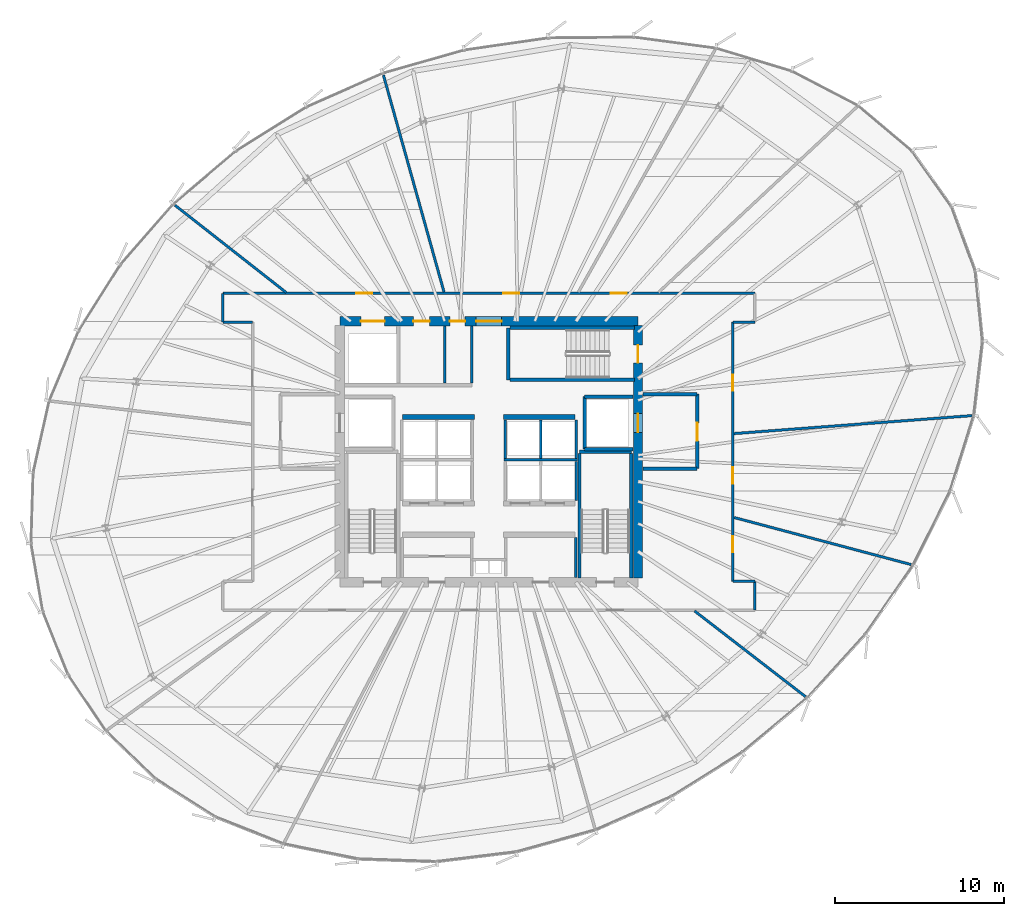
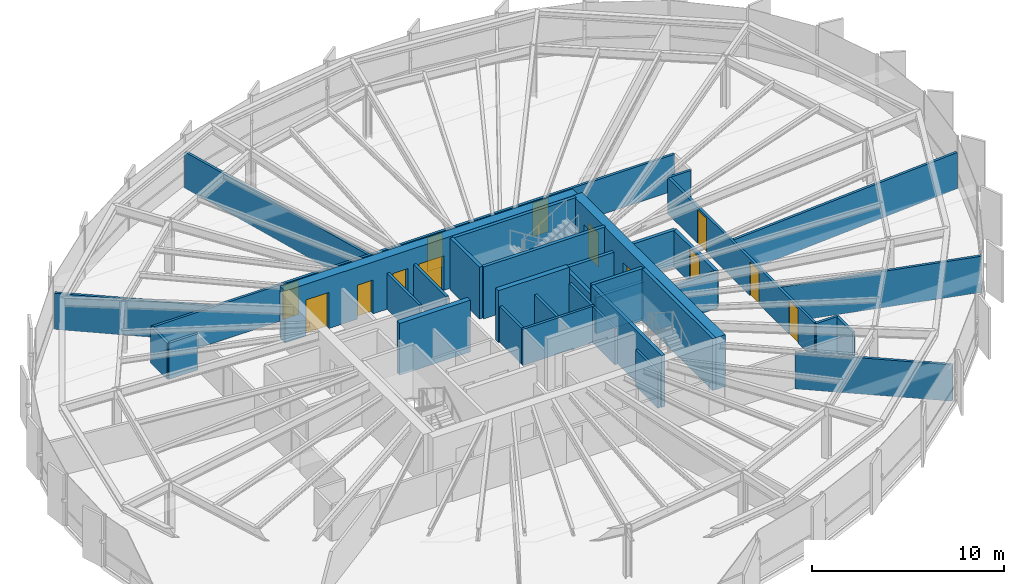
# One storey, part 30 of 35: 36 walls, 13 doors, 13 openings.
"""IFC4 building model written with IfcOpenShell, lengths in metres."""

import ifcopenshell
import ifcopenshell.guid

model = None  # the IFC model being written
_history = None  # IfcOwnerHistory: only IFC2X3 demands one
_inside = {}  # id of a spatial element -> (the spatial element, [elements in it])
_under = {}  # id of a project, library or spatial element -> (it, [spatial elements below it])
_declared = {}  # id of a project -> (the project, [libraries it declares])
_typed = {}  # id of a type object -> (the type object, [elements of that type])
_made_of = {}  # id of a material, layer set ... -> (it, [elements and type objects made of it])


def new_model(schema):
    """Start an empty IFC model of exactly this schema.

    Asked for "IFC4X3", IfcOpenShell would pick the latest addendum, in which some entities
    have other attributes; the version numbers below select the first issue.
    IFC2X3 requires an IfcOwnerHistory on every rooted entity: one is made here for all.
    """
    global model, _history
    if schema == "IFC4X3":
        model = ifcopenshell.file(schema_version=(4, 3, 0, 0))
    else:
        model = ifcopenshell.file(schema=schema)
    _inside.clear()
    _under.clear()
    _declared.clear()
    _typed.clear()
    _made_of.clear()
    _history = None
    if model.schema == "IFC2X3":
        org = make("IfcOrganization", Name="unknown")
        user = make(
            "IfcPersonAndOrganization",
            ThePerson=make("IfcPerson", FamilyName="unknown"),
            TheOrganization=org,
        )
        app = make(
            "IfcApplication",
            ApplicationDeveloper=org,
            Version="unknown",
            ApplicationFullName="unknown",
            ApplicationIdentifier="unknown",
        )
        _history = make(
            "IfcOwnerHistory",
            OwningUser=user,
            OwningApplication=app,
            ChangeAction="ADDED",
            CreationDate=0,
        )
    return model


def make(cls, **values):
    """One entity of the class cls with the attributes given. An attribute that is None is left unset."""
    return model.create_entity(
        cls, **{name: value for name, value in values.items() if value is not None}
    )


def rooted(cls, **values):
    """An entity with a GlobalId (a new one), such as an element, a storey or a relation."""
    return make(cls, GlobalId=ifcopenshell.guid.new(), OwnerHistory=_history, **values)


def si_unit(unit_type, name, prefix=None):
    """IfcSIUnit, for example si_unit("LENGTHUNIT", "METRE", prefix="MILLI")."""
    return make("IfcSIUnit", UnitType=unit_type, Prefix=prefix, Name=name)


def assignment(units):
    """IfcUnitAssignment: the units of a project."""
    return None if units is None else make("IfcUnitAssignment", Units=units)


def point(xyz):
    """IfcCartesianPoint."""
    return None if xyz is None else make("IfcCartesianPoint", Coordinates=xyz)


def direction(xyz):
    """IfcDirection."""
    return None if xyz is None else make("IfcDirection", DirectionRatios=xyz)


def frame(location, z_axis=None, x_axis=None):
    """IfcAxis2Placement3D, a coordinate frame: its origin and axes. An axis left out is left unset."""
    return make(
        "IfcAxis2Placement3D",
        Location=point(location),
        Axis=direction(z_axis),
        RefDirection=direction(x_axis),
    )


def frame_2d(location, x_axis=None):
    """IfcAxis2Placement2D, a coordinate frame in the plane: its origin and x axis."""
    return make(
        "IfcAxis2Placement2D", Location=point(location), RefDirection=direction(x_axis)
    )


def origin():
    """The frame at (0, 0, 0) with its axes left unset."""
    return frame((0.0, 0.0, 0.0))


def place(relative_to, where):
    """IfcLocalPlacement: puts the frame where relative to a parent placement (None: the world)."""
    return make(
        "IfcLocalPlacement", PlacementRelTo=relative_to, RelativePlacement=where
    )


def context(
    kind, dimensions, precision=None, world=None, true_north=None, identifier=None
):
    """IfcGeometricRepresentationContext, for example the 3D "Model" context."""
    return make(
        "IfcGeometricRepresentationContext",
        ContextIdentifier=identifier,
        ContextType=kind,
        CoordinateSpaceDimension=dimensions,
        Precision=precision,
        WorldCoordinateSystem=world,
        TrueNorth=true_north,
    )


def subcontext(parent, identifier, kind, view, scale=None):
    """IfcGeometricRepresentationSubContext, for example "Body" below "Model"."""
    return make(
        "IfcGeometricRepresentationSubContext",
        ContextIdentifier=identifier,
        ContextType=kind,
        ParentContext=parent,
        TargetScale=scale,
        TargetView=view,
    )


def project(units=None, contexts=None):
    """IfcProject with its units and contexts."""
    return rooted(
        "IfcProject",
        Name="project",
        RepresentationContexts=contexts,
        UnitsInContext=assignment(units),
    )


def spatial(cls, under=None, at=None, **own):
    """A site, building, storey or space (cls), placed at a placement, below another one or the project."""
    s = rooted(cls, ObjectPlacement=at, **own)
    if under is not None:
        _under.setdefault(under.id(), (under, []))[1].append(s)
    return s


def profile(cls, at=None, kind="AREA", **sizes):
    """A parametric profile (cls). Its sizes go by their IFC names, for example OverallWidth=200.0."""
    return make(cls, ProfileType=kind, Position=at, **sizes)


def rectangle(**sizes):
    """IfcRectangleProfileDef."""
    return profile("IfcRectangleProfileDef", **sizes)


def extrude(swept, where, along, depth):
    """IfcExtrudedAreaSolid: the profile swept, set in the frame where, extruded along a direction by depth."""
    return make(
        "IfcExtrudedAreaSolid",
        SweptArea=swept,
        Position=where,
        ExtrudedDirection=direction(along),
        Depth=depth,
    )


def shape(context_of_items, identifier, shape_type, items):
    """IfcShapeRepresentation: the items that make up one representation, for example the "Body"."""
    return make(
        "IfcShapeRepresentation",
        ContextOfItems=context_of_items,
        RepresentationIdentifier=identifier,
        RepresentationType=shape_type,
        Items=items,
    )


def source(mapping_origin, context_of_items, identifier, shape_type, items):
    """IfcRepresentationMap: a shape defined once, which mapped items show again and again."""
    return make(
        "IfcRepresentationMap",
        MappingOrigin=mapping_origin,
        MappedRepresentation=shape(context_of_items, identifier, shape_type, items),
    )


def transform(
    local_origin,
    x_axis=None,
    y_axis=None,
    z_axis=None,
    scale=None,
    scale2=None,
    scale3=None,
    uniform=True,
):
    """IfcCartesianTransformationOperator3D, or its non-uniform kind. x_axis, y_axis, z_axis: its Axis1, 2, 3."""
    if uniform:
        return make(
            "IfcCartesianTransformationOperator3D",
            Axis1=direction(x_axis),
            Axis2=direction(y_axis),
            LocalOrigin=point(local_origin),
            Scale=scale,
            Axis3=direction(z_axis),
        )
    return make(
        "IfcCartesianTransformationOperator3DnonUniform",
        Axis1=direction(x_axis),
        Axis2=direction(y_axis),
        LocalOrigin=point(local_origin),
        Scale=scale,
        Axis3=direction(z_axis),
        Scale2=scale2,
        Scale3=scale3,
    )


def mapped(mapping_source, mapping_target):
    """IfcMappedItem: shows the shape of a source again, moved by a transform."""
    return make(
        "IfcMappedItem", MappingSource=mapping_source, MappingTarget=mapping_target
    )


def material(Name=None, Category=None):
    """IfcMaterial."""
    return make("IfcMaterial", Name=Name, Category=Category)


def layer(
    of_material, thickness, ventilated=None, Name=None, Category=None, Priority=None
):
    """IfcMaterialLayer: one layer of a wall or slab, of a material (None: an air gap)."""
    return make(
        "IfcMaterialLayer",
        Material=of_material,
        LayerThickness=thickness,
        IsVentilated=ventilated,
        Name=Name,
        Category=Category,
        Priority=Priority,
    )


def layer_set(layers, Name=None):
    """IfcMaterialLayerSet."""
    return make("IfcMaterialLayerSet", MaterialLayers=layers, LayerSetName=Name)


def made_of(thing, what):
    """Note that an element or type object is made of a material, layer set ...; save() writes the relation."""
    if what is not None:
        _made_of.setdefault(what.id(), (what, []))[1].append(thing)
    return thing


def type_object(cls, material=None, **own):
    """A type object (cls), such as IfcWallType, which elements share."""
    return made_of(rooted(cls, **own), material)


def element(
    cls,
    number,
    at=None,
    inside=None,
    cuts=None,
    type_object=None,
    material=None,
    context=None,
    identifier="Body",
    shape_type=None,
    held_by="IfcProductDefinitionShape",
    body=None,
    shapes=None,
    **own,
):
    """One element of the class cls, such as IfcWall. Its Tag is "e" and its number.

    at: its placement. inside: the storey or other place that contains it. cuts: it is an
    opening in that element (IfcRelVoidsElement). A single representation is given by context,
    identifier, shape_type and body (its items); several are given by shapes. held_by: the class
    of the entity that holds the representations. save() writes the other relations.
    """
    e = rooted(cls, Tag="e%d" % number, ObjectPlacement=at, **own)
    if body is not None:
        shapes = [shape(context, identifier, shape_type, body)]
    if shapes is not None:
        e.Representation = make(held_by, Representations=shapes)
    if inside is not None:
        _inside.setdefault(inside.id(), (inside, []))[1].append(e)
    if cuts is not None:
        rooted(
            "IfcRelVoidsElement", RelatingBuildingElement=cuts, RelatedOpeningElement=e
        )
    if type_object is not None:
        _typed.setdefault(type_object.id(), (type_object, []))[1].append(e)
    return made_of(e, material)


def fill(opening, filler):
    """IfcRelFillsElement: the door or window that sits in an opening."""
    return rooted(
        "IfcRelFillsElement",
        RelatingOpeningElement=opening,
        RelatedBuildingElement=filler,
    )


def aggregate(whole, parts):
    """IfcRelAggregates: a whole, such as a stair, and the parts it consists of."""
    return rooted("IfcRelAggregates", RelatingObject=whole, RelatedObjects=parts)


def save(model, path):
    """Write the relations noted so far, then the file.

    IfcRelAggregates (storeys below a building ...), IfcRelContainedInSpatialStructure (elements
    in a storey), IfcRelDefinesByType, IfcRelAssociatesMaterial and IfcRelDeclares: one each for
    every whole, place, type object, material and project.
    """
    for whole, parts in _under.values():
        aggregate(whole, parts)
    for where, things in _inside.values():
        rooted(
            "IfcRelContainedInSpatialStructure",
            RelatedElements=things,
            RelatingStructure=where,
        )
    for kind, things in _typed.values():
        rooted("IfcRelDefinesByType", RelatedObjects=things, RelatingType=kind)
    for what, things in _made_of.values():
        rooted("IfcRelAssociatesMaterial", RelatedObjects=things, RelatingMaterial=what)
    for by, libraries in _declared.values():
        rooted("IfcRelDeclares", RelatingContext=by, RelatedDefinitions=libraries)
    model.write(path)


model = new_model("IFC4")

# Units and contexts
model_context = context("Model", 3, precision=1e-05, world=origin(), true_north=direction((0.0, 1.0)))
body_context = subcontext(model_context, "Body", "Model", "MODEL_VIEW")
ifc_project = project(units=[si_unit("LENGTHUNIT", "METRE"), si_unit("AREAUNIT", "SQUARE_METRE"), si_unit("VOLUMEUNIT", "CUBIC_METRE"), si_unit("PLANEANGLEUNIT", "RADIAN"), si_unit("MASSUNIT", "GRAM", prefix="KILO"), si_unit("THERMODYNAMICTEMPERATUREUNIT", "KELVIN")], contexts=[model_context])

# Site, building, storey
site_placement = place(None, origin())
site = spatial("IfcSite", under=ifc_project, at=site_placement, CompositionType="ELEMENT")
building_placement = place(site_placement, origin())
building = spatial("IfcBuilding", under=site, at=building_placement, Name="Kethvar Cultural Tower", CompositionType="ELEMENT")
storey_placement = place(building_placement, frame((0.0, 0.0, 146.550048828125)))
storey = spatial("IfcBuildingStorey", under=building, at=storey_placement, Name="L37", CompositionType="ELEMENT", Elevation=146.550048828125)

# Wall, openings, doors
ifc_material_1 = material(Name="Concrete C60/75", Category="concrete")
ifc_layer_1 = layer(ifc_material_1, 0.550048828125, Name="Concrete C60/75", Category="concrete")
ifc_layer_set_1 = layer_set([ifc_layer_1], Name="Concrete C60/75 (550 mm)")
wall_type_1 = type_object("IfcWallType", Name="WL-CORE-550", PredefinedType="SHEAR", material=ifc_layer_set_1)
wall_1_placement = place(storey_placement, frame((55.60009765625, 35.5, 0.0), z_axis=(0.0, 0.0, 1.0), x_axis=(-1.0, 0.0, 0.0)))
wall_1 = element("IfcWall", 1, at=wall_1_placement, inside=storey, type_object=wall_type_1, Name="L37 Core Shear Wall N", PredefinedType="SHEAR", context=body_context, shape_type="SweptSolid", body=[
    extrude(rectangle(XDim=17.60009765625, YDim=0.550048828125, at=frame_2d((8.800048828125, 0.0))), origin(), (0.0, 0.0, 1.0), 3.300048828125),
])
opening_1_placement = place(wall_1_placement, frame((8.050048828125, 0.0, 0.0)))
opening_1 = element("IfcOpeningElement", 2, at=opening_1_placement, cuts=wall_1, Name="Opening D-L37-LN", PredefinedType="OPENING", context=body_context, shape_type="SweptSolid", body=[
    extrude(rectangle(XDim=1.5, YDim=2.199951171875, at=frame_2d((0.75, 1.10009765625))), frame((0.0, 0.284912109375, 0.0), z_axis=(0.0, -1.0, 0.0), x_axis=(1.0, 0.0, 0.0)), (0.0, 0.0, 1.0), 0.570068359375),
])
opening_2_placement = place(wall_1_placement, frame((14.949951171875, 0.0, 0.0)))
opening_2 = element("IfcOpeningElement", 3, at=opening_2_placement, cuts=wall_1, Name="Opening LD-G1", PredefinedType="OPENING", context=body_context, shape_type="SweptSolid", body=[
    extrude(rectangle(XDim=1.39990234375, YDim=2.300048828125, at=frame_2d((0.699951171875, 1.14990234375))), frame((0.0, 0.284912109375, 0.0), z_axis=(0.0, -1.0, 0.0), x_axis=(1.0, 0.0, 0.0)), (0.0, 0.0, 1.0), 0.570068359375),
])
opening_3_placement = place(wall_1_placement, frame((12.300048828125, 0.0, 0.0)))
opening_3 = element("IfcOpeningElement", 4, at=opening_3_placement, cuts=wall_1, Name="Opening D-L37-W1", PredefinedType="OPENING", context=body_context, shape_type="SweptSolid", body=[
    extrude(rectangle(XDim=0.949951171875, YDim=2.14990234375, at=frame_2d((0.47509765625, 1.074951171875))), frame((0.0, 0.284912109375, 0.0), z_axis=(0.0, -1.0, 0.0), x_axis=(1.0, 0.0, 0.0)), (0.0, 0.0, 1.0), 0.570068359375),
])
opening_4_placement = place(wall_1_placement, frame((10.199951171875, 0.0, 0.0)))
opening_4 = element("IfcOpeningElement", 5, at=opening_4_placement, cuts=wall_1, Name="Opening D-L37-W2", PredefinedType="OPENING", context=body_context, shape_type="SweptSolid", body=[
    extrude(rectangle(XDim=0.89990234375, YDim=2.14990234375, at=frame_2d((0.449951171875, 1.074951171875))), frame((0.0, 0.284912109375, 0.0), z_axis=(0.0, -1.0, 0.0), x_axis=(1.0, 0.0, 0.0)), (0.0, 0.0, 1.0), 0.570068359375),
])
ifc_material_2 = material(Name="Architectural Oak Timber", Category="wood")
door_type_1 = type_object("IfcDoorType", Name="DR-DBL-FD60-1500", OperationType="DOUBLE_DOOR_SINGLE_SWING", PredefinedType="DOOR", material=ifc_material_2)
shared_shape_1 = source(origin(), body_context, "Body", "SweptSolid", [
    extrude(rectangle(XDim=1.5, YDim=2.199951171875, at=frame_2d((0.75, 1.10009765625))), frame((0.0, 0.02490234375, 0.0), z_axis=(0.0, -1.0, 0.0), x_axis=(1.0, 0.0, 0.0)), (0.0, 0.0, 1.0), 0.050048828125),
])
door_1_placement = place(opening_1_placement, origin())
door_1 = element("IfcDoor", 6, at=door_1_placement, inside=storey, type_object=door_type_1, Name="L37 Lift Lobby Concourse Door", OperationType="DOUBLE_DOOR_SINGLE_SWING", OverallHeight=2.199951171875, OverallWidth=1.5, PredefinedType="DOOR", context=body_context, shape_type="MappedRepresentation", body=[
    mapped(shared_shape_1, transform((0.0, 0.0, 0.0), scale=1.0)),
])
fill(opening_1, door_1)
ifc_material_3 = material(Name="Steel S355J2", Category="steel")
door_type_2 = type_object("IfcDoorType", Name="DR-LIFT-SLIDE-1400", OperationType="NOTDEFINED", PredefinedType="DOOR", material=ifc_material_3)
shared_shape_2 = source(origin(), body_context, "Body", "SweptSolid", [
    extrude(rectangle(XDim=1.39990234375, YDim=2.300048828125, at=frame_2d((0.699951171875, 1.14990234375))), frame((0.0, 0.02490234375, 0.0), z_axis=(0.0, -1.0, 0.0), x_axis=(1.0, 0.0, 0.0)), (0.0, 0.0, 1.0), 0.050048828125),
])
door_2_placement = place(opening_2_placement, origin())
door_2 = element("IfcDoor", 7, at=door_2_placement, inside=storey, type_object=door_type_2, Name="L37 Goods Lift Landing Door", OperationType="SLIDING_TO_RIGHT", OverallHeight=2.300048828125, OverallWidth=1.39990234375, PredefinedType="DOOR", context=body_context, shape_type="MappedRepresentation", body=[
    mapped(shared_shape_2, transform((0.0, 0.0, 0.0), scale=1.0)),
])
fill(opening_2, door_2)
door_type_3 = type_object("IfcDoorType", Name="DR-FD30-950", OperationType="NOTDEFINED", PredefinedType="DOOR", material=ifc_material_2)
shared_shape_3 = source(origin(), body_context, "Body", "SweptSolid", [
    extrude(rectangle(XDim=0.949951171875, YDim=2.14990234375, at=frame_2d((0.47509765625, 1.074951171875))), frame((0.0, 0.02490234375, 0.0), z_axis=(0.0, -1.0, 0.0), x_axis=(1.0, 0.0, 0.0)), (0.0, 0.0, 1.0), 0.050048828125),
])
door_3_placement = place(opening_3_placement, origin())
door_3 = element("IfcDoor", 8, at=door_3_placement, inside=storey, type_object=door_type_3, Name="L37 Public Washroom Door", OperationType="SINGLE_SWING_LEFT", OverallHeight=2.14990234375, OverallWidth=0.949951171875, PredefinedType="DOOR", context=body_context, shape_type="MappedRepresentation", body=[
    mapped(shared_shape_3, transform((0.0, 0.0, 0.0), scale=1.0)),
])
fill(opening_3, door_3)
door_type_4 = type_object("IfcDoorType", Name="DR-FD30-900", OperationType="NOTDEFINED", PredefinedType="DOOR", material=ifc_material_2)
shared_shape_4 = source(origin(), body_context, "Body", "SweptSolid", [
    extrude(rectangle(XDim=0.89990234375, YDim=2.14990234375, at=frame_2d((0.449951171875, 1.074951171875))), frame((0.0, 0.02490234375, 0.0), z_axis=(0.0, -1.0, 0.0), x_axis=(1.0, 0.0, 0.0)), (0.0, 0.0, 1.0), 0.050048828125),
])
door_4_placement = place(opening_4_placement, origin())
door_4 = element("IfcDoor", 9, at=door_4_placement, inside=storey, type_object=door_type_4, Name="L37 Accessible Washroom Door", OperationType="SINGLE_SWING_RIGHT", OverallHeight=2.14990234375, OverallWidth=0.89990234375, PredefinedType="DOOR", context=body_context, shape_type="MappedRepresentation", body=[
    mapped(shared_shape_4, transform((0.0, 0.0, 0.0), scale=1.0)),
])
fill(opening_4, door_4)

wall_2_placement = place(storey_placement, frame((55.60009765625, 20.340087890625, 0.0), z_axis=(0.0, 0.0, 1.0), x_axis=(0.0, 1.0, 0.0)))
wall_2 = element("IfcWall", 10, at=wall_2_placement, inside=storey, type_object=wall_type_1, Name="L37 Core Shear Wall E", PredefinedType="SHEAR", context=body_context, shape_type="SweptSolid", body=[
    extrude(rectangle(XDim=14.919921875, YDim=0.550048828125, at=frame_2d((7.4599609375, 0.0))), origin(), (0.0, 0.0, 1.0), 3.300048828125),
])
opening_5_placement = place(wall_2_placement, frame((12.7099609375, 0.0, 0.0)))
opening_5 = element("IfcOpeningElement", 11, at=opening_5_placement, cuts=wall_2, Name="Opening D-L37-S3", PredefinedType="OPENING", context=body_context, shape_type="SweptSolid", body=[
    extrude(rectangle(XDim=1.050048828125, YDim=2.14990234375, at=frame_2d((0.52490234375, 1.074951171875))), frame((0.0, 0.284912109375, 0.0), z_axis=(0.0, -1.0, 0.0), x_axis=(1.0, 0.0, 0.0)), (0.0, 0.0, 1.0), 0.570068359375),
])
opening_6_placement = place(wall_2_placement, frame((8.610107421875, 0.0, 0.0)))
opening_6 = element("IfcOpeningElement", 12, at=opening_6_placement, cuts=wall_2, Name="Opening LD-2", PredefinedType="OPENING", context=body_context, shape_type="SweptSolid", body=[
    extrude(rectangle(XDim=1.10009765625, YDim=2.199951171875, at=frame_2d((0.550048828125, 1.10009765625))), frame((0.0, 0.284912109375, 0.0), z_axis=(0.0, -1.0, 0.0), x_axis=(1.0, 0.0, 0.0)), (0.0, 0.0, 1.0), 0.570068359375),
])
door_type_5 = type_object("IfcDoorType", Name="DR-FD60-1050", OperationType="NOTDEFINED", PredefinedType="DOOR", material=ifc_material_3)
shared_shape_5 = source(origin(), body_context, "Body", "SweptSolid", [
    extrude(rectangle(XDim=1.050048828125, YDim=2.14990234375, at=frame_2d((0.52490234375, 1.074951171875))), frame((0.0, 0.02490234375, 0.0), z_axis=(0.0, -1.0, 0.0), x_axis=(1.0, 0.0, 0.0)), (0.0, 0.0, 1.0), 0.050048828125),
])
door_5_placement = place(opening_5_placement, origin())
door_5 = element("IfcDoor", 13, at=door_5_placement, inside=storey, type_object=door_type_5, Name="L37 Exit Stair 3 Door", OperationType="SINGLE_SWING_LEFT", OverallHeight=2.14990234375, OverallWidth=1.050048828125, PredefinedType="DOOR", context=body_context, shape_type="MappedRepresentation", body=[
    mapped(shared_shape_5, transform((0.0, 0.0, 0.0), scale=1.0)),
])
fill(opening_5, door_5)
door_type_6 = type_object("IfcDoorType", Name="DR-LIFT-SLIDE-1100", OperationType="NOTDEFINED", PredefinedType="DOOR", material=ifc_material_3)
shared_shape_6 = source(origin(), body_context, "Body", "SweptSolid", [
    extrude(rectangle(XDim=1.10009765625, YDim=2.199951171875, at=frame_2d((0.550048828125, 1.10009765625))), frame((0.0, 0.02490234375, 0.0), z_axis=(0.0, -1.0, 0.0), x_axis=(1.0, 0.0, 0.0)), (0.0, 0.0, 1.0), 0.050048828125),
])
door_6_placement = place(opening_6_placement, origin())
door_6 = element("IfcDoor", 14, at=door_6_placement, inside=storey, type_object=door_type_6, Name="L37 Firefighting Lift Landing Door FFL-02", OperationType="SLIDING_TO_RIGHT", OverallHeight=2.199951171875, OverallWidth=1.10009765625, PredefinedType="DOOR", context=body_context, shape_type="MappedRepresentation", body=[
    mapped(shared_shape_6, transform((0.0, 0.0, 0.0), scale=1.0)),
])
fill(opening_6, door_6)

# Walls
ifc_material_4 = material(Name="Gypsum Fireboard Partition")
ifc_layer_2 = layer(ifc_material_4, 0.14990234375, Name="Gypsum Fireboard Partition")
ifc_layer_set_2 = layer_set([ifc_layer_2], Name="Gypsum Fireboard Partition (150 mm)")
wall_type_2 = type_object("IfcWallType", Name="WL-FIRE-150", PredefinedType="PARTITIONING", material=ifc_layer_set_2)
wall_3_placement = place(storey_placement, frame((51.919921875, 20.385009765625, 0.0), z_axis=(0.0, 0.0, 1.0), x_axis=(0.0, 1.0, 0.0)))
element("IfcWall", 15, at=wall_3_placement, inside=storey, type_object=wall_type_2, Name="L37 Reclaimed East Outer Wall", PredefinedType="PARTITIONING", context=body_context, shape_type="SweptSolid", body=[
    extrude(rectangle(XDim=2.344970703125, YDim=0.14990234375, at=frame_2d((1.17236328125, 0.0))), origin(), (0.0, 0.0, 1.0), 2.304931640625),
])
wall_4_placement = place(storey_placement, frame((47.699951171875, 27.324951171875, 0.0), z_axis=(0.0, 0.0, 1.0), x_axis=(1.0, 0.0, 0.0)))
element("IfcWall", 16, at=wall_4_placement, inside=storey, type_object=wall_type_2, Name="L37 Mid-High Lift Shaft Back Wall E", PredefinedType="PARTITIONING", context=body_context, shape_type="SweptSolid", body=[
    extrude(rectangle(XDim=4.320068359375, YDim=0.14990234375, at=frame_2d((2.16015625, 0.0))), origin(), (0.0, 0.0, 1.0), 2.304931640625),
])
wall_5_placement = place(storey_placement, frame((51.949951171875, 24.919921875, 0.0), z_axis=(0.0, 0.0, 1.0), x_axis=(0.0, 1.0, 0.0)))
element("IfcWall", 17, at=wall_5_placement, inside=storey, type_object=wall_type_2, Name="L37 Mid-Rise Lift Shaft Outer Wall E", PredefinedType="PARTITIONING", context=body_context, shape_type="SweptSolid", body=[
    extrude(rectangle(XDim=2.320068359375, YDim=0.14990234375, at=frame_2d((1.16015625, 0.0))), origin(), (0.0, 0.0, 1.0), 2.304931640625),
])
for number, where, z_axis, x_axis, name in (
    (18, (47.77490234375, 27.409912109375, 0.0), (0.0, 0.0, 1.0), (0.0, 1.0, 0.0), "L37 High-Rise Lift Shaft Concourse Wall E"),
    (19, (49.875, 27.409912109375, 0.0), (0.0, 0.0, 1.0), (0.0, 1.0, 0.0), "L37 High-Rise Lift Shaft Divider E"),
    (20, (51.949951171875, 27.409912109375, 0.0), (0.0, 0.0, 1.0), (0.0, 1.0, 0.0), "L37 High-Rise Lift Shaft Outer Wall E"),
):
    element("IfcWall", number, at=place(storey_placement, frame(where, z_axis=z_axis, x_axis=x_axis)), inside=storey, type_object=wall_type_2, Name=name, PredefinedType="PARTITIONING", context=body_context, shape_type="SweptSolid", body=[
        extrude(rectangle(XDim=2.27001953125, YDim=0.14990234375, at=frame_2d((1.135009765625, 0.0))), origin(), (0.0, 0.0, 1.0), 2.304931640625),
    ])
wall_6_placement = place(storey_placement, frame((45.800048828125, 31.85009765625, 0.0), z_axis=(0.0, 0.0, 1.0), x_axis=(0.0, 1.0, 0.0)))
element("IfcWall", 21, at=wall_6_placement, inside=storey, type_object=wall_type_2, Name="L37 Sanitary Spine Wall", PredefinedType="PARTITIONING", context=body_context, shape_type="SweptSolid", body=[
    extrude(rectangle(XDim=3.364990234375, YDim=0.14990234375, at=frame_2d((1.6826171875, 0.0))), origin(), (0.0, 0.0, 1.0), 2.304931640625),
])
wall_7_placement = place(storey_placement, frame((62.5, 18.449951171875, 0.0), z_axis=(0.0, 0.0, 1.0), x_axis=(0.0, 1.0, 0.0)))
element("IfcWall", 22, at=wall_7_placement, inside=storey, type_object=wall_type_2, Name="L37 Corridor Rated Wall ES", PredefinedType="PARTITIONING", context=body_context, shape_type="SweptSolid", body=[
    extrude(rectangle(XDim=1.699951171875, YDim=0.14990234375, at=frame_2d((0.85009765625, 0.0))), origin(), (0.0, 0.0, 1.0), 2.304931640625),
])
wall_8_placement = place(storey_placement, frame((62.5, 20.14990234375, 0.0), z_axis=(0.0, 0.0, 1.0), x_axis=(-1.0, 0.0, 0.0)))
element("IfcWall", 23, at=wall_8_placement, inside=storey, type_object=wall_type_2, Name="L37 Corridor Rated Wall EST", PredefinedType="PARTITIONING", context=body_context, shape_type="SweptSolid", body=[
    extrude(rectangle(XDim=1.300048828125, YDim=0.14990234375, at=frame_2d((0.64990234375, 0.0))), origin(), (0.0, 0.0, 1.0), 2.304931640625),
])

# Wall, openings, doors
wall_9_placement = place(storey_placement, frame((61.199951171875, 20.14990234375, 0.0), z_axis=(0.0, 0.0, 1.0), x_axis=(0.0, 1.0, 0.0)))
wall_9 = element("IfcWall", 24, at=wall_9_placement, inside=storey, type_object=wall_type_2, Name="L37 Corridor Rated Wall EM", PredefinedType="PARTITIONING", context=body_context, shape_type="SweptSolid", body=[
    extrude(rectangle(XDim=15.300048828125, YDim=0.14990234375, at=frame_2d((7.64990234375, 0.0))), origin(), (0.0, 0.0, 1.0), 2.304931640625),
])
opening_7_placement = place(wall_9_placement, frame((1.7099609375, 0.0, 0.0)))
opening_7 = element("IfcOpeningElement", 25, at=opening_7_placement, cuts=wall_9, Name="Opening D-L37-04", PredefinedType="OPENING", context=body_context, shape_type="SweptSolid", body=[
    extrude(rectangle(XDim=0.949951171875, YDim=2.14990234375, at=frame_2d((0.47509765625, 1.074951171875))), frame((0.0, 0.0849609375, 0.0), z_axis=(0.0, -1.0, 0.0), x_axis=(1.0, 0.0, 0.0)), (0.0, 0.0, 1.0), 0.169921875),
])
opening_8_placement = place(wall_9_placement, frame((5.773681640625, 0.0, 0.0)))
opening_8 = element("IfcOpeningElement", 26, at=opening_8_placement, cuts=wall_9, Name="Opening D-L37-05", PredefinedType="OPENING", context=body_context, shape_type="SweptSolid", body=[
    extrude(rectangle(XDim=0.949951171875, YDim=2.14990234375, at=frame_2d((0.47509765625, 1.074951171875))), frame((0.0, 0.0849609375, 0.0), z_axis=(0.0, -1.0, 0.0), x_axis=(1.0, 0.0, 0.0)), (0.0, 0.0, 1.0), 0.169921875),
])
opening_9_placement = place(wall_9_placement, frame((11.243408203125, 0.0, 0.0)))
opening_9 = element("IfcOpeningElement", 27, at=opening_9_placement, cuts=wall_9, Name="Opening D-L37-06", PredefinedType="OPENING", context=body_context, shape_type="SweptSolid", body=[
    extrude(rectangle(XDim=0.949951171875, YDim=2.14990234375, at=frame_2d((0.47509765625, 1.074951171875))), frame((0.0, 0.0849609375, 0.0), z_axis=(0.0, -1.0, 0.0), x_axis=(1.0, 0.0, 0.0)), (0.0, 0.0, 1.0), 0.169921875),
])
door_7_placement = place(opening_7_placement, origin())
door_7 = element("IfcDoor", 28, at=door_7_placement, inside=storey, type_object=door_type_3, Name="L37 Special Collections Storage 04 Door", OperationType="SINGLE_SWING_LEFT", OverallHeight=2.14990234375, OverallWidth=0.949951171875, PredefinedType="DOOR", context=body_context, shape_type="MappedRepresentation", body=[
    mapped(shared_shape_3, transform((0.0, 0.0, 0.0), scale=1.0)),
])
fill(opening_7, door_7)
door_8_placement = place(opening_8_placement, origin())
door_8 = element("IfcDoor", 29, at=door_8_placement, inside=storey, type_object=door_type_3, Name="L37 Modernist Music Salon 05 Door", OperationType="SINGLE_SWING_RIGHT", OverallHeight=2.14990234375, OverallWidth=0.949951171875, PredefinedType="DOOR", context=body_context, shape_type="MappedRepresentation", body=[
    mapped(shared_shape_3, transform((0.0, 0.0, 0.0), scale=1.0)),
])
fill(opening_8, door_8)
door_9_placement = place(opening_9_placement, origin())
door_9 = element("IfcDoor", 30, at=door_9_placement, inside=storey, type_object=door_type_3, Name="L37 Cultural Event Salon 06 Door", OperationType="SINGLE_SWING_LEFT", OverallHeight=2.14990234375, OverallWidth=0.949951171875, PredefinedType="DOOR", context=body_context, shape_type="MappedRepresentation", body=[
    mapped(shared_shape_3, transform((0.0, 0.0, 0.0), scale=1.0)),
])
fill(opening_9, door_9)

# Wall
wall_10_placement = place(storey_placement, frame((61.199951171875, 35.449951171875, 0.0), z_axis=(0.0, 0.0, 1.0), x_axis=(1.0, 0.0, 0.0)))
element("IfcWall", 31, at=wall_10_placement, inside=storey, type_object=wall_type_2, Name="L37 Corridor Rated Wall ENT", PredefinedType="PARTITIONING", context=body_context, shape_type="SweptSolid", body=[
    extrude(rectangle(XDim=1.300048828125, YDim=0.14990234375, at=frame_2d((0.64990234375, 0.0))), origin(), (0.0, 0.0, 1.0), 2.304931640625),
])

# Wall, openings, doors
wall_11_placement = place(storey_placement, frame((62.5, 37.14990234375, 0.0), z_axis=(0.0, 0.0, 1.0), x_axis=(-1.0, 0.0, 0.0)))
wall_11 = element("IfcWall", 32, at=wall_11_placement, inside=storey, type_object=wall_type_2, Name="L37 Corridor Rated Wall N", PredefinedType="PARTITIONING", context=body_context, shape_type="SweptSolid", body=[
    extrude(rectangle(XDim=31.39990234375, YDim=0.14990234375, at=frame_2d((15.699951171875, 0.0))), origin(), (0.0, 0.0, 1.0), 2.304931640625),
])
opening_10_placement = place(wall_11_placement, frame((7.561279296875, 0.0, 0.0)))
opening_10 = element("IfcOpeningElement", 33, at=opening_10_placement, cuts=wall_11, Name="Opening D-L37-07", PredefinedType="OPENING", context=body_context, shape_type="SweptSolid", body=[
    extrude(rectangle(XDim=0.949951171875, YDim=2.14990234375, at=frame_2d((0.47509765625, 1.074951171875))), frame((0.0, 0.0849609375, 0.0), z_axis=(0.0, -1.0, 0.0), x_axis=(1.0, 0.0, 0.0)), (0.0, 0.0, 1.0), 0.169921875),
])
opening_11_placement = place(wall_11_placement, frame((13.900634765625, 0.0, 0.0)))
opening_11 = element("IfcOpeningElement", 34, at=opening_11_placement, cuts=wall_11, Name="Opening D-L37-08", PredefinedType="OPENING", context=body_context, shape_type="SweptSolid", body=[
    extrude(rectangle(XDim=0.949951171875, YDim=2.14990234375, at=frame_2d((0.47509765625, 1.074951171875))), frame((0.0, 0.0849609375, 0.0), z_axis=(0.0, -1.0, 0.0), x_axis=(1.0, 0.0, 0.0)), (0.0, 0.0, 1.0), 0.169921875),
])
opening_12_placement = place(wall_11_placement, frame((22.5732421875, 0.0, 0.0)))
opening_12 = element("IfcOpeningElement", 35, at=opening_12_placement, cuts=wall_11, Name="Opening D-L37-09", PredefinedType="OPENING", context=body_context, shape_type="SweptSolid", body=[
    extrude(rectangle(XDim=0.949951171875, YDim=2.14990234375, at=frame_2d((0.47509765625, 1.074951171875))), frame((0.0, 0.0849609375, 0.0), z_axis=(0.0, -1.0, 0.0), x_axis=(1.0, 0.0, 0.0)), (0.0, 0.0, 1.0), 0.169921875),
])
door_10_placement = place(opening_10_placement, origin())
door_10 = element("IfcDoor", 36, at=door_10_placement, inside=storey, type_object=door_type_3, Name="L37 Foundation Executive Office 07 Door", OperationType="SINGLE_SWING_RIGHT", OverallHeight=2.14990234375, OverallWidth=0.949951171875, PredefinedType="DOOR", context=body_context, shape_type="MappedRepresentation", body=[
    mapped(shared_shape_3, transform((0.0, 0.0, 0.0), scale=1.0)),
])
fill(opening_10, door_10)
door_11_placement = place(opening_11_placement, origin())
door_11 = element("IfcDoor", 37, at=door_11_placement, inside=storey, type_object=door_type_3, Name="L37 Members' Refreshment Kitchenette 08 Door", OperationType="SINGLE_SWING_LEFT", OverallHeight=2.14990234375, OverallWidth=0.949951171875, PredefinedType="DOOR", context=body_context, shape_type="MappedRepresentation", body=[
    mapped(shared_shape_3, transform((0.0, 0.0, 0.0), scale=1.0)),
])
fill(opening_11, door_11)
door_12_placement = place(opening_12_placement, origin())
door_12 = element("IfcDoor", 38, at=door_12_placement, inside=storey, type_object=door_type_3, Name="L37 Scholars' Study Lounge 09 Door", OperationType="SINGLE_SWING_RIGHT", OverallHeight=2.14990234375, OverallWidth=0.949951171875, PredefinedType="DOOR", context=body_context, shape_type="MappedRepresentation", body=[
    mapped(shared_shape_3, transform((0.0, 0.0, 0.0), scale=1.0)),
])
fill(opening_12, door_12)

# Walls
wall_12_placement = place(storey_placement, frame((31.10009765625, 37.14990234375, 0.0), z_axis=(0.0, 0.0, 1.0), x_axis=(0.0, -1.0, 0.0)))
element("IfcWall", 39, at=wall_12_placement, inside=storey, type_object=wall_type_2, Name="L37 Corridor Rated Wall WN", PredefinedType="PARTITIONING", context=body_context, shape_type="SweptSolid", body=[
    extrude(rectangle(XDim=1.699951171875, YDim=0.14990234375, at=frame_2d((0.85009765625, 0.0))), origin(), (0.0, 0.0, 1.0), 2.304931640625),
])
wall_13_placement = place(storey_placement, frame((31.10009765625, 35.449951171875, 0.0), z_axis=(0.0, 0.0, 1.0), x_axis=(1.0, 0.0, 0.0)))
element("IfcWall", 40, at=wall_13_placement, inside=storey, type_object=wall_type_2, Name="L37 Corridor Rated Wall WNT", PredefinedType="PARTITIONING", context=body_context, shape_type="SweptSolid", body=[
    extrude(rectangle(XDim=1.75, YDim=0.14990234375, at=frame_2d((0.875, 0.0))), origin(), (0.0, 0.0, 1.0), 2.304931640625),
])
ifc_material_5 = material(Name="Concrete C40/50", Category="concrete")
ifc_layer_3 = layer(ifc_material_5, 0.199951171875, Name="Concrete C40/50", Category="concrete")
ifc_layer_set_3 = layer_set([ifc_layer_3], Name="Concrete C40/50 (200 mm)")
wall_type_3 = type_object("IfcWallType", Name="WL-FIRE-200", PredefinedType="PARTITIONING", material=ifc_layer_set_3)
wall_14_placement = place(storey_placement, frame((52.449951171875, 27.949951171875, 0.0), z_axis=(0.0, 0.0, 1.0), x_axis=(0.0, 1.0, 0.0)))
element("IfcWall", 41, at=wall_14_placement, inside=storey, type_object=wall_type_3, Name="L37 FFL-02 Shaft Inner Wall", PredefinedType="PARTITIONING", context=body_context, shape_type="SweptSolid", body=[
    extrude(rectangle(XDim=3.10009765625, YDim=0.199951171875, at=frame_2d((1.550048828125, 0.0))), origin(), (0.0, 0.0, 1.0), 2.304931640625),
])
for number, where, z_axis, x_axis, name in (
    (42, (52.449951171875, 27.949951171875, 0.0), (0.0, 0.0, 1.0), (1.0, 0.0, 0.0), "L37 FFL-02 Shaft South Wall"),
    (43, (52.449951171875, 31.050048828125, 0.0), (0.0, 0.0, 1.0), (1.0, 0.0, 0.0), "L37 FFL-02 Shaft North Wall"),
):
    element("IfcWall", number, at=place(storey_placement, frame(where, z_axis=z_axis, x_axis=x_axis)), inside=storey, type_object=wall_type_3, Name=name, PredefinedType="PARTITIONING", context=body_context, shape_type="SweptSolid", body=[
        extrude(rectangle(XDim=2.864990234375, YDim=0.199951171875, at=frame_2d((1.4326171875, 0.0))), origin(), (0.0, 0.0, 1.0), 2.304931640625),
    ])

# Wall, opening, door
wall_15_placement = place(storey_placement, frame((59.10009765625, 26.800048828125, 0.0), z_axis=(0.0, 0.0, 1.0), x_axis=(0.0, 1.0, 0.0)))
wall_15 = element("IfcWall", 44, at=wall_15_placement, inside=storey, type_object=wall_type_3, Name="L37 Firefighting Lobby 2 Wall", PredefinedType="PARTITIONING", context=body_context, shape_type="SweptSolid", body=[
    extrude(rectangle(XDim=4.39990234375, YDim=0.199951171875, at=frame_2d((2.199951171875, 0.0))), origin(), (0.0, 0.0, 1.0), 2.304931640625),
])
opening_13_placement = place(wall_15_placement, frame((1.64990234375, 0.0, 0.0)))
opening_13 = element("IfcOpeningElement", 45, at=opening_13_placement, cuts=wall_15, Name="Opening D-L37-F2", PredefinedType="OPENING", context=body_context, shape_type="SweptSolid", body=[
    extrude(rectangle(XDim=1.050048828125, YDim=2.14990234375, at=frame_2d((0.52490234375, 1.074951171875))), frame((0.0, 0.10986328125, 0.0), z_axis=(0.0, -1.0, 0.0), x_axis=(1.0, 0.0, 0.0)), (0.0, 0.0, 1.0), 0.219970703125),
])
door_13_placement = place(opening_13_placement, origin())
door_13 = element("IfcDoor", 46, at=door_13_placement, inside=storey, type_object=door_type_5, Name="L37 Firefighting Lobby 2 Fire Door", OperationType="SINGLE_SWING_LEFT", OverallHeight=2.14990234375, OverallWidth=1.050048828125, PredefinedType="DOOR", context=body_context, shape_type="MappedRepresentation", body=[
    mapped(shared_shape_5, transform((0.0, 0.0, 0.0), scale=1.0)),
])
fill(opening_13, door_13)

# Walls
for number, where, z_axis, x_axis, name in (
    (47, (55.885009765625, 26.800048828125, 0.0), (0.0, 0.0, 1.0), (1.0, 0.0, 0.0), "L37 FF Lobby 2 South Wall"),
    (48, (55.885009765625, 31.199951171875, 0.0), (0.0, 0.0, 1.0), (1.0, 0.0, 0.0), "L37 FF Lobby 2 North Wall"),
):
    element("IfcWall", number, at=place(storey_placement, frame(where, z_axis=z_axis, x_axis=x_axis)), inside=storey, type_object=wall_type_3, Name=name, PredefinedType="PARTITIONING", context=body_context, shape_type="SweptSolid", body=[
        extrude(rectangle(XDim=3.215087890625, YDim=0.199951171875, at=frame_2d((1.607421875, 0.0))), origin(), (0.0, 0.0, 1.0), 2.304931640625),
    ])
ifc_material_6 = material(Name="Gypsum Acoustic Partition")
ifc_layer_4 = layer(ifc_material_6, 0.14990234375, Name="Gypsum Acoustic Partition")
ifc_layer_set_4 = layer_set([ifc_layer_4], Name="Gypsum Acoustic Partition (150 mm)")
wall_type_4 = type_object("IfcWallType", Name="WL-PART-150", PredefinedType="PARTITIONING", material=ifc_layer_set_4)
wall_16_placement = place(storey_placement, frame((58.94384765625, 18.401123046875, 0.0), z_axis=(0.0, 0.0, 1.0), x_axis=(0.791453494342, -0.611229389259, 0.0)))
element("IfcWall", 49, at=wall_16_placement, inside=storey, type_object=wall_type_4, Name="L37 Radial Partition Wall 04", PredefinedType="PARTITIONING", context=body_context, shape_type="SweptSolid", body=[
    extrude(rectangle(XDim=8.28369140625, YDim=0.14990234375, at=frame_2d((4.141845703125, 0.0))), origin(), (0.0, 0.0, 1.0), 2.304931640625),
])
wall_17_placement = place(storey_placement, frame((61.27734375, 23.919677734375, 0.0), z_axis=(0.0, 0.0, 1.0), x_axis=(0.96642193868, -0.25696037912, 0.0)))
element("IfcWall", 50, at=wall_17_placement, inside=storey, type_object=wall_type_4, Name="L37 Radial Partition Wall 05", PredefinedType="PARTITIONING", context=body_context, shape_type="SweptSolid", body=[
    extrude(rectangle(XDim=10.81982421875, YDim=0.14990234375, at=frame_2d((5.409912109375, 0.0))), origin(), (0.0, 0.0, 1.0), 2.304931640625),
])
wall_18_placement = place(storey_placement, frame((61.27978515625, 28.87255859375, 0.0), z_axis=(0.0, 0.0, 1.0), x_axis=(0.997160459413, 0.075306162981, 0.0)))
element("IfcWall", 51, at=wall_18_placement, inside=storey, type_object=wall_type_4, Name="L37 Radial Partition Wall 06", PredefinedType="PARTITIONING", context=body_context, shape_type="SweptSolid", body=[
    extrude(rectangle(XDim=14.073486328125, YDim=0.14990234375, at=frame_2d((7.03662109375, 0.0))), origin(), (0.0, 0.0, 1.0), 2.304931640625),
])
wall_19_placement = place(storey_placement, frame((44.154296875, 37.22705078125, 0.0), z_axis=(0.0, 0.0, 1.0), x_axis=(-0.269090511443, 0.963114892758, 0.0)))
element("IfcWall", 52, at=wall_19_placement, inside=storey, type_object=wall_type_4, Name="L37 Radial Partition Wall 09", PredefinedType="PARTITIONING", context=body_context, shape_type="SweptSolid", body=[
    extrude(rectangle(XDim=13.297119140625, YDim=0.14990234375, at=frame_2d((6.6484375, 0.0))), origin(), (0.0, 0.0, 1.0), 2.304931640625),
])
wall_20_placement = place(storey_placement, frame((34.837890625, 37.199462890625, 0.0), z_axis=(0.0, 0.0, 1.0), x_axis=(-0.786723081145, 0.617306077723, 0.0)))
element("IfcWall", 53, at=wall_20_placement, inside=storey, type_object=wall_type_4, Name="L37 Radial Partition Wall 10", PredefinedType="PARTITIONING", context=body_context, shape_type="SweptSolid", body=[
    extrude(rectangle(XDim=8.34814453125, YDim=0.14990234375, at=frame_2d((4.174072265625, 0.0))), origin(), (0.0, 0.0, 1.0), 2.304931640625),
])
ifc_material_7 = material(Name="Moisture-Resistant Sanitary Chase Wall")
ifc_layer_5 = layer(ifc_material_7, 0.14990234375, Name="Moisture-Resistant Sanitary Chase Wall")
ifc_layer_set_5 = layer_set([ifc_layer_5], Name="Moisture-Resistant Sanitary Chase Wall (150 mm)")
wall_type_5 = type_object("IfcWallType", Name="WL-PLUMB-150", PredefinedType="PLUMBINGWALL", material=ifc_layer_set_5)
wall_21_placement = place(storey_placement, frame((44.199951171875, 31.85009765625, 0.0), z_axis=(0.0, 0.0, 1.0), x_axis=(0.0, 1.0, 0.0)))
element("IfcWall", 54, at=wall_21_placement, inside=storey, type_object=wall_type_5, Name="L37 Sanitary Plumbing Wall", PredefinedType="PLUMBINGWALL", context=body_context, shape_type="SweptSolid", body=[
    extrude(rectangle(XDim=3.364990234375, YDim=0.14990234375, at=frame_2d((1.6826171875, 0.0))), origin(), (0.0, 0.0, 1.0), 2.304931640625),
])
ifc_material_8 = material(Name="Concrete C50/60", Category="concrete")
ifc_layer_6 = layer(ifc_material_8, 0.300048828125, Name="Concrete C50/60", Category="concrete")
ifc_layer_set_6 = layer_set([ifc_layer_6], Name="Concrete C50/60 (300 mm)")
wall_type_6 = type_object("IfcWallType", Name="WL-SHAFT-300", PredefinedType="SHEAR", material=ifc_layer_set_6)
for number, where, z_axis, x_axis, name in (
    (55, (41.699951171875, 29.85009765625, 0.0), (0.0, 0.0, 1.0), (1.0, 0.0, 0.0), "L37 Core Lift Spine Wall MID3W"),
    (56, (47.64990234375, 29.85009765625, 0.0), (0.0, 0.0, 1.0), (1.0, 0.0, 0.0), "L37 Core Lift Spine Wall MID3E"),
):
    element("IfcWall", number, at=place(storey_placement, frame(where, z_axis=z_axis, x_axis=x_axis)), inside=storey, type_object=wall_type_6, Name=name, PredefinedType="SHEAR", context=body_context, shape_type="SweptSolid", body=[
        extrude(rectangle(XDim=4.25, YDim=0.300048828125, at=frame_2d((2.125, 0.0))), origin(), (0.0, 0.0, 1.0), 3.300048828125),
    ])
ifc_layer_7 = layer(ifc_material_8, 0.199951171875, Name="Concrete C50/60", Category="concrete")
ifc_layer_set_7 = layer_set([ifc_layer_7], Name="Concrete C50/60 (200 mm)")
wall_type_7 = type_object("IfcWallType", Name="WL-STSHAFT-200", PredefinedType="SHEAR", material=ifc_layer_set_7)
wall_22_placement = place(storey_placement, frame((52.14990234375, 27.800048828125, 0.0), z_axis=(0.0, 0.0, 1.0), x_axis=(1.0, 0.0, 0.0)))
element("IfcWall", 57, at=wall_22_placement, inside=storey, type_object=wall_type_7, Name="L37 ST-02 Stair Shaft Wall FAR", PredefinedType="SHEAR", context=body_context, shape_type="SweptSolid", body=[
    extrude(rectangle(XDim=3.06005859375, YDim=0.199951171875, at=frame_2d((1.530029296875, 0.0))), origin(), (0.0, 0.0, 1.0), 3.300048828125),
])
for number, where, z_axis, x_axis, name in (
    (58, (55.2099609375, 27.699951171875, 0.0), (0.0, 0.0, 1.0), (0.0, -1.0, 0.0), "L37 ST-02 Stair Shaft Wall LEFT"),
    (59, (52.14990234375, 20.35009765625, 0.0), (0.0, 0.0, 1.0), (0.0, 1.0, 0.0), "L37 ST-02 Stair Shaft Wall RIGHT"),
):
    element("IfcWall", number, at=place(storey_placement, frame(where, z_axis=z_axis, x_axis=x_axis)), inside=storey, type_object=wall_type_7, Name=name, PredefinedType="SHEAR", context=body_context, shape_type="SweptSolid", body=[
        extrude(rectangle(XDim=7.349853515625, YDim=0.199951171875, at=frame_2d((3.6748046875, 0.0))), origin(), (0.0, 0.0, 1.0), 3.300048828125),
    ])
wall_23_placement = place(storey_placement, frame((47.949951171875, 32.050048828125, 0.0), z_axis=(0.0, 0.0, 1.0), x_axis=(0.0, 1.0, 0.0)))
element("IfcWall", 60, at=wall_23_placement, inside=storey, type_object=wall_type_7, Name="L37 ST-03 Stair Shaft Wall FAR", PredefinedType="SHEAR", context=body_context, shape_type="SweptSolid", body=[
    extrude(rectangle(XDim=3.06005859375, YDim=0.199951171875, at=frame_2d((1.530029296875, 0.0))), origin(), (0.0, 0.0, 1.0), 3.300048828125),
])
for number, where, z_axis, x_axis, name in (
    (61, (48.050048828125, 35.110107421875, 0.0), (0.0, 0.0, 1.0), (1.0, 0.0, 0.0), "L37 ST-03 Stair Shaft Wall LEFT"),
    (62, (55.39990234375, 32.050048828125, 0.0), (0.0, 0.0, 1.0), (-1.0, 0.0, 0.0), "L37 ST-03 Stair Shaft Wall RIGHT"),
):
    element("IfcWall", number, at=place(storey_placement, frame(where, z_axis=z_axis, x_axis=x_axis)), inside=storey, type_object=wall_type_7, Name=name, PredefinedType="SHEAR", context=body_context, shape_type="SweptSolid", body=[
        extrude(rectangle(XDim=7.349853515625, YDim=0.199951171875, at=frame_2d((3.6748046875, 0.0))), origin(), (0.0, 0.0, 1.0), 3.300048828125),
    ])

save(model, "model.ifc")
